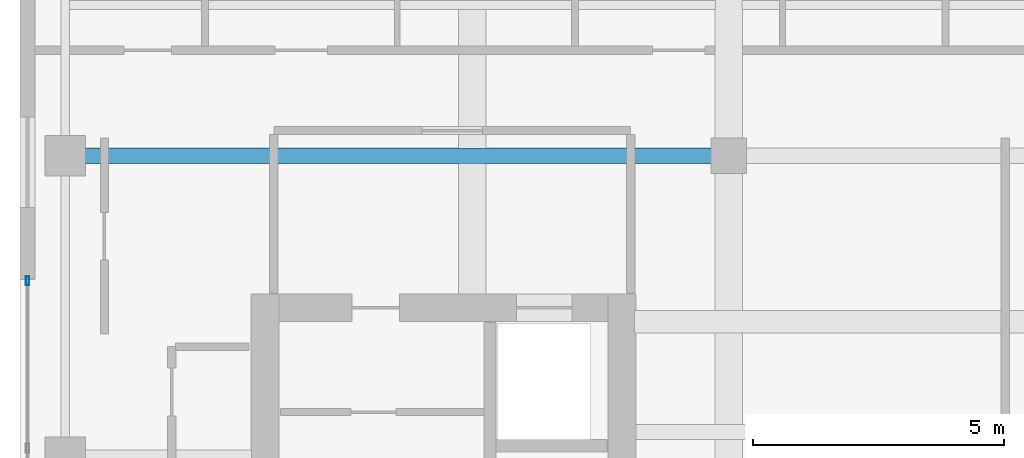
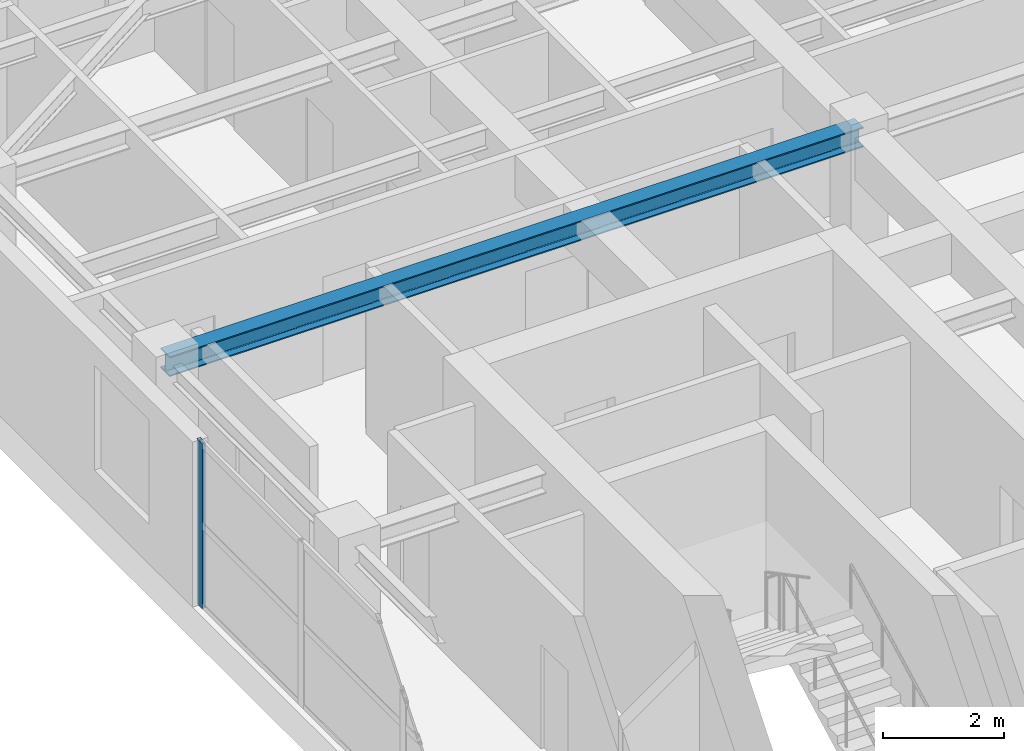
# One storey, part 8 of 21: 1 beam, 1 member, 1 element without a shape of its own.
"""IFC4 building model written with IfcOpenShell, lengths in metres."""

from ifc_helpers import new_model, si_unit, direction, frame, origin, origin_2d, place, context, subcontext, project, spatial, hollow_rectangle, i_section, extrude, source, transform, mapped, material, layer, layer_set, material_profile, profile_set, type_object, element, aggregate, save


model = new_model("IFC4")

# Units and contexts
model_context = context("Model", 3, precision=1e-05, world=origin(), true_north=direction((0.0, 1.0)))
body_context = subcontext(model_context, "Body", "Model", "MODEL_VIEW")
ifc_project = project(units=[si_unit("LENGTHUNIT", "METRE"), si_unit("AREAUNIT", "SQUARE_METRE"), si_unit("VOLUMEUNIT", "CUBIC_METRE"), si_unit("PLANEANGLEUNIT", "RADIAN"), si_unit("MASSUNIT", "GRAM", prefix="KILO")], contexts=[model_context])

# Site, building, storey
site_placement = place(None, origin())
site = spatial("IfcSite", under=ifc_project, at=site_placement, CompositionType="ELEMENT")
building_placement = place(site_placement, origin())
building = spatial("IfcBuilding", under=site, at=building_placement, Name="Khoralis Quay Care Tower", CompositionType="ELEMENT")
storey_placement = place(building_placement, frame((0.0, 0.0, 267.300048828125)))
storey = spatial("IfcBuildingStorey", under=building, at=storey_placement, Name="L70", CompositionType="ELEMENT", Elevation=267.300048828125)

# Beam
ifc_material_1 = material(Name="Steel S355", Category="steel")
ifc_material_profile_1 = material_profile(ifc_material_1, i_section(OverallWidth=0.300048828125, OverallDepth=0.39990234375, WebThickness=0.013427734375, FlangeThickness=0.02392578125, FilletRadius=0.027099609375, at=origin_2d()), Name="Steel S355")
ifc_profile_set_1 = profile_set([ifc_material_profile_1], Name="Steel S355")
beam_type = type_object("IfcBeamType", Name="BM-HEB400", PredefinedType="BEAM", material=ifc_profile_set_1)
shared_shape_1 = source(origin(), body_context, "Body", "SweptSolid", [
    extrude(i_section(OverallWidth=0.300048828125, OverallDepth=0.39990234375, WebThickness=0.013427734375, FlangeThickness=0.02392578125, FilletRadius=0.027099609375, at=origin_2d()), origin(), (0.0, 0.0, 1.0), 13.2001953125),
])
beam_placement = place(storey_placement, frame((3.89990234375, 30.0, 3.119873046875), z_axis=(1.0, 0.0, 0.0), x_axis=(0.0, 1.0, 0.0)))
element("IfcBeam", 1, at=beam_placement, inside=storey, type_object=beam_type, Name="BM-TGXW-L70-300", PredefinedType="BEAM", context=body_context, shape_type="MappedRepresentation", body=[
    mapped(shared_shape_1, transform((0.0, 0.0, 0.0), scale=1.0)),
])

# Curtain wall, member
ifc_material_2 = material(Name="Pale anodised aluminium", Category="aluminium")
ifc_layer = layer(ifc_material_2, 0.159912109375)
ifc_layer_set = layer_set([ifc_layer], Name="Pale anodised aluminium")
curtain_wall_type = type_object("IfcCurtainWallType", Name="CW-SYS-Z3", PredefinedType="NOTDEFINED", material=ifc_layer_set)
curtain_wall_placement = place(storey_placement, origin())
curtain_wall = element("IfcCurtainWall", 2, at=curtain_wall_placement, inside=storey, type_object=curtain_wall_type, Name="L70 Unitised Curtain Wall CW-L70-P1-E15", PredefinedType="NOTDEFINED")
ifc_material_profile_2 = material_profile(ifc_material_2, hollow_rectangle(XDim=0.06494140625, YDim=0.179931640625, WallThickness=0.00390625, at=origin_2d()), Name="Pale anodised aluminium")
ifc_profile_set_2 = profile_set([ifc_material_profile_2], Name="Pale anodised aluminium")
member_type = type_object("IfcMemberType", Name="CW-MUL-180", PredefinedType="MULLION", material=ifc_profile_set_2)
shared_shape_2 = source(origin(), body_context, "Body", "SweptSolid", [
    extrude(hollow_rectangle(XDim=0.06494140625, YDim=0.179931640625, WallThickness=0.00390625, at=origin_2d()), origin(), (0.0, 0.0, 1.0), 3.320068359375),
])
member_placement = place(storey_placement, frame((3.14990234375, 27.510009765625, 0.0), z_axis=(0.0, 0.0, 1.0), x_axis=(1.0, 0.0, 0.0)))
member = element("IfcMember", 3, at=member_placement, type_object=member_type, Name="CW3 mullion 1", PredefinedType="MULLION", context=body_context, shape_type="MappedRepresentation", body=[
    mapped(shared_shape_2, transform((0.0, 0.0, 0.0), scale=1.0)),
])
aggregate(curtain_wall, [member])

save(model, "model.ifc")
